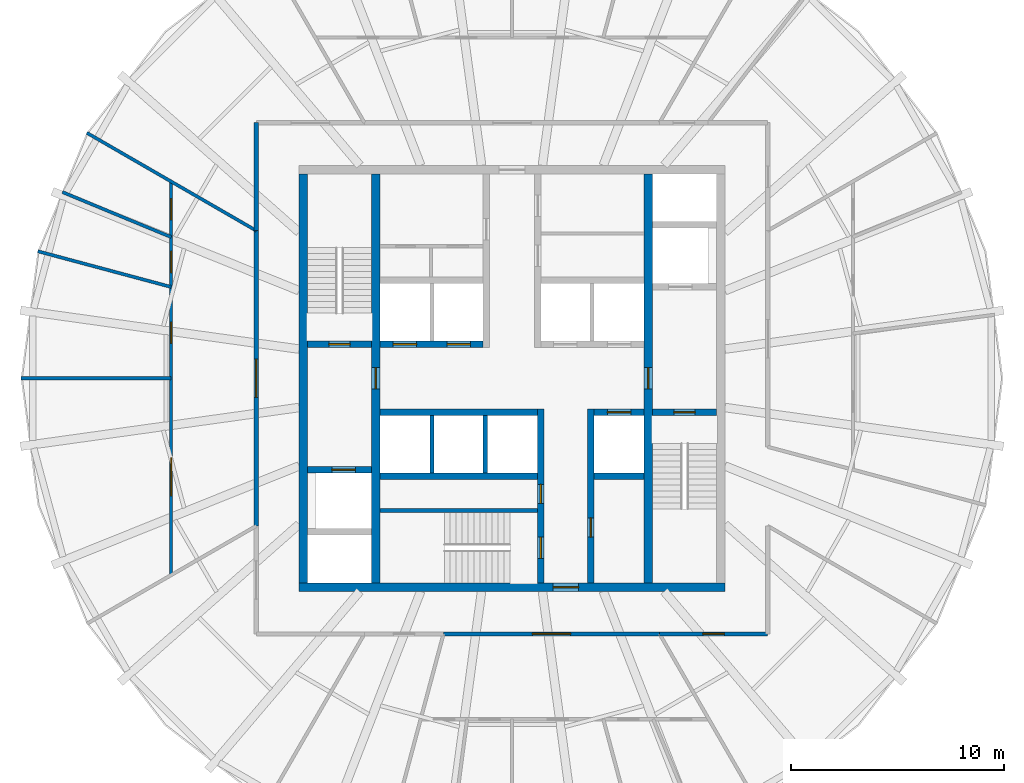
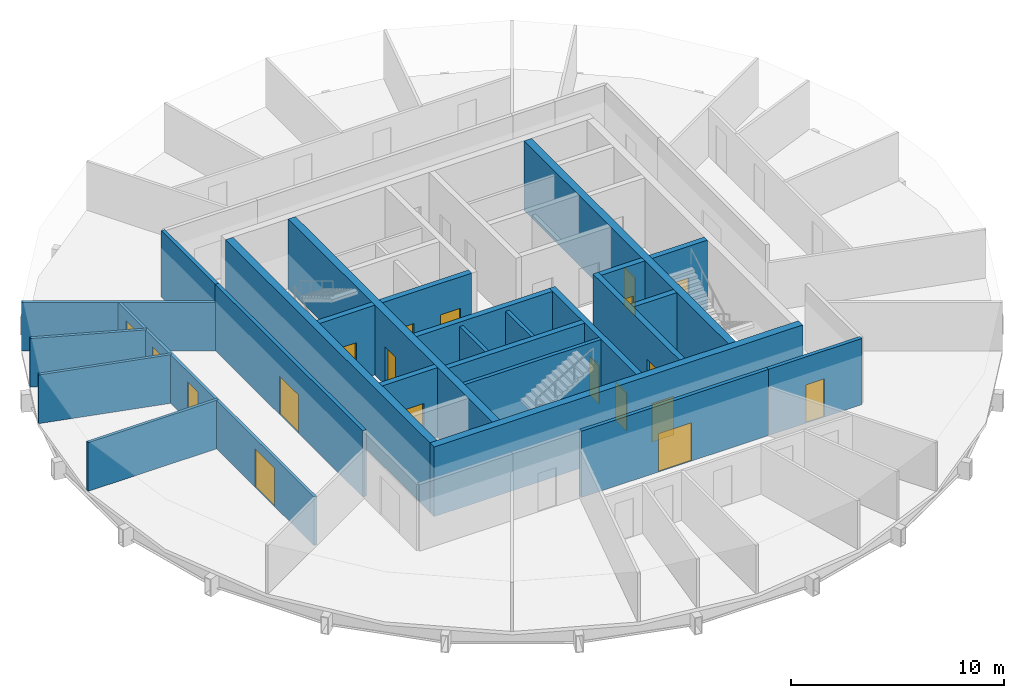
# One storey, part 3 of 6: 26 walls, 19 doors, 19 openings.
"""IFC4 building model written with IfcOpenShell, lengths in metres."""

from ifc_helpers import new_model, si_unit, direction, frame, frame_2d, origin, place, context, subcontext, project, spatial, rectangle, extrude, material, layer, layer_set, type_object, element, fill, save


model = new_model("IFC4")

# Units and contexts
model_context = context("Model", 3, precision=1e-05, world=origin(), true_north=direction((0.0, 1.0)))
body_context = subcontext(model_context, "Body", "Model", "MODEL_VIEW")
ifc_project = project(units=[si_unit("LENGTHUNIT", "METRE"), si_unit("AREAUNIT", "SQUARE_METRE"), si_unit("VOLUMEUNIT", "CUBIC_METRE"), si_unit("PLANEANGLEUNIT", "RADIAN"), si_unit("MASSUNIT", "GRAM", prefix="KILO")], contexts=[model_context])

# Site, building, storey
site_placement = place(None, origin())
site = spatial("IfcSite", under=ifc_project, at=site_placement, CompositionType="ELEMENT")
building_placement = place(site_placement, origin())
building = spatial("IfcBuilding", under=site, at=building_placement, Name="Golbaran Civic Tower", CompositionType="ELEMENT")
storey_placement = place(building_placement, frame((0.0, 0.0, 224.0)))
storey = spatial("IfcBuildingStorey", under=building, at=storey_placement, Name="L54", CompositionType="ELEMENT", Elevation=224.0)

# Wall, opening, door
ifc_material_1 = material(Name="Concrete C50/60", Category="concrete")
ifc_layer_1 = layer(ifc_material_1, 0.39990234375, Name="Concrete C50/60")
ifc_layer_set_1 = layer_set([ifc_layer_1], Name="Concrete C50/60")
wall_type_1 = type_object("IfcWallType", Name="CORE WALL CONCRETE 400", PredefinedType="SOLIDWALL", material=ifc_layer_set_1)
wall_1_placement = place(storey_placement, frame((10.0, -9.800048828125, 0.0), z_axis=(0.0, 0.0, 1.0), x_axis=(-1.0, 0.0, 0.0)))
wall_1 = element("IfcWall", 1, at=wall_1_placement, inside=storey, type_object=wall_type_1, Name="Core wall CS L54", PredefinedType="SOLIDWALL", context=body_context, shape_type="SweptSolid", body=[
    extrude(rectangle(XDim=20.0, YDim=0.39990234375, at=frame_2d((10.0, 0.0))), origin(), (0.0, 0.0, 1.0), 4.0),
])
opening_1_placement = place(wall_1_placement, frame((6.875, 0.0, 0.0)))
opening_1 = element("IfcOpeningElement", 2, at=opening_1_placement, cuts=wall_1, Name="Opening L54.CS", PredefinedType="OPENING", context=body_context, shape_type="SweptSolid", body=[
    extrude(rectangle(XDim=1.199951171875, YDim=2.199951171875, at=frame_2d((0.60009765625, 1.10009765625))), frame((0.0, 0.2099609375, 0.0), z_axis=(0.0, -1.0, 0.0), x_axis=(1.0, 0.0, 0.0)), (0.0, 0.0, 1.0), 0.419921875),
])
ifc_material_2 = material(Name="Timber door set in steel frame", Category="steel")
door_type_1 = type_object("IfcDoorType", Name="CORE DOOR 1200x2200", OperationType="DOUBLE_DOOR_SINGLE_SWING", PredefinedType="DOOR", material=ifc_material_2)
door_1_placement = place(opening_1_placement, origin())
door_1 = element("IfcDoor", 3, at=door_1_placement, inside=storey, type_object=door_type_1, Name="Core door south", OperationType="DOUBLE_DOOR_SINGLE_SWING", OverallHeight=2.199951171875, OverallWidth=1.199951171875, PredefinedType="DOOR", context=body_context, shape_type="SweptSolid", body=[
    extrude(rectangle(XDim=1.199951171875, YDim=2.199951171875, at=frame_2d((0.60009765625, 1.10009765625))), frame((0.0, 0.02490234375, 0.0), z_axis=(0.0, -1.0, 0.0), x_axis=(1.0, 0.0, 0.0)), (0.0, 0.0, 1.0), 0.050048828125),
])
fill(opening_1, door_1)

# Wall
wall_2_placement = place(storey_placement, frame((-9.800048828125, 9.60009765625, 0.0), z_axis=(0.0, 0.0, 1.0), x_axis=(0.0, -1.0, 0.0)))
element("IfcWall", 4, at=wall_2_placement, inside=storey, type_object=wall_type_1, Name="Core wall CW L54", PredefinedType="SOLIDWALL", context=body_context, shape_type="SweptSolid", body=[
    extrude(rectangle(XDim=19.2001953125, YDim=0.39990234375, at=frame_2d((9.60009765625, 0.0))), origin(), (0.0, 0.0, 1.0), 4.0),
])

# Wall, opening, door
wall_3_placement = place(storey_placement, frame((-6.39990234375, -9.60009765625, 0.0), z_axis=(0.0, 0.0, 1.0), x_axis=(0.0, 1.0, 0.0)))
wall_3 = element("IfcWall", 5, at=wall_3_placement, inside=storey, type_object=wall_type_1, Name="Core wall IW L54", PredefinedType="SOLIDWALL", context=body_context, shape_type="SweptSolid", body=[
    extrude(rectangle(XDim=19.2001953125, YDim=0.39990234375, at=frame_2d((9.60009765625, 0.0))), origin(), (0.0, 0.0, 1.0), 4.0),
])
opening_2_placement = place(wall_3_placement, frame((9.10009765625, 0.0, 0.0)))
opening_2 = element("IfcOpeningElement", 6, at=opening_2_placement, cuts=wall_3, Name="Opening L54.FL1", PredefinedType="OPENING", context=body_context, shape_type="SweptSolid", body=[
    extrude(rectangle(XDim=1.0, YDim=2.199951171875, at=frame_2d((0.5, 1.10009765625))), frame((0.0, 0.2099609375, 0.0), z_axis=(0.0, -1.0, 0.0), x_axis=(1.0, 0.0, 0.0)), (0.0, 0.0, 1.0), 0.419921875),
])
door_type_2 = type_object("IfcDoorType", Name="STAIR DOOR 1000x2200", OperationType="SINGLE_SWING_LEFT", PredefinedType="DOOR", material=ifc_material_2)
door_2_placement = place(opening_2_placement, origin())
door_2 = element("IfcDoor", 7, at=door_2_placement, inside=storey, type_object=door_type_2, Name="Fire-fighting lobby FL1 door", OperationType="SINGLE_SWING_LEFT", OverallHeight=2.199951171875, OverallWidth=1.0, PredefinedType="DOOR", context=body_context, shape_type="SweptSolid", body=[
    extrude(rectangle(XDim=1.0, YDim=2.199951171875, at=frame_2d((0.5, 1.10009765625))), frame((0.0, 0.02490234375, 0.0), z_axis=(0.0, -1.0, 0.0), x_axis=(1.0, 0.0, 0.0)), (0.0, 0.0, 1.0), 0.050048828125),
])
fill(opening_2, door_2)

wall_4_placement = place(storey_placement, frame((6.39990234375, 9.60009765625, 0.0), z_axis=(0.0, 0.0, 1.0), x_axis=(0.0, -1.0, 0.0)))
wall_4 = element("IfcWall", 8, at=wall_4_placement, inside=storey, type_object=wall_type_1, Name="Core wall IE L54", PredefinedType="SOLIDWALL", context=body_context, shape_type="SweptSolid", body=[
    extrude(rectangle(XDim=19.2001953125, YDim=0.39990234375, at=frame_2d((9.60009765625, 0.0))), origin(), (0.0, 0.0, 1.0), 4.0),
])
opening_3_placement = place(wall_4_placement, frame((9.10009765625, 0.0, 0.0)))
opening_3 = element("IfcOpeningElement", 9, at=opening_3_placement, cuts=wall_4, Name="Opening L54.FL2", PredefinedType="OPENING", context=body_context, shape_type="SweptSolid", body=[
    extrude(rectangle(XDim=1.0, YDim=2.199951171875, at=frame_2d((0.5, 1.10009765625))), frame((0.0, 0.2099609375, 0.0), z_axis=(0.0, -1.0, 0.0), x_axis=(1.0, 0.0, 0.0)), (0.0, 0.0, 1.0), 0.419921875),
])
door_3_placement = place(opening_3_placement, origin())
door_3 = element("IfcDoor", 10, at=door_3_placement, inside=storey, type_object=door_type_2, Name="Fire-fighting lobby FL2 door", OperationType="SINGLE_SWING_RIGHT", OverallHeight=2.199951171875, OverallWidth=1.0, PredefinedType="DOOR", context=body_context, shape_type="SweptSolid", body=[
    extrude(rectangle(XDim=1.0, YDim=2.199951171875, at=frame_2d((0.5, 1.10009765625))), frame((0.0, 0.02490234375, 0.0), z_axis=(0.0, -1.0, 0.0), x_axis=(1.0, 0.0, 0.0)), (0.0, 0.0, 1.0), 0.050048828125),
])
fill(opening_3, door_3)

# Wall
ifc_material_3 = material(Name="Gypsum board on steel studs, fire-rated", Category="steel")
ifc_layer_2 = layer(ifc_material_3, 0.199951171875, Name="Gypsum board on steel studs, fire-rated")
ifc_layer_set_2 = layer_set([ifc_layer_2], Name="Gypsum board on steel studs, fire-rated")
wall_type_2 = type_object("IfcWallType", Name="CORRIDOR WALL 200", PredefinedType="PARTITIONING", material=ifc_layer_set_2)
wall_5_placement = place(storey_placement, frame((-12.0, 12.0, 0.0), z_axis=(0.0, 0.0, 1.0), x_axis=(0.0, -1.0, 0.0)))
element("IfcWall", 11, at=wall_5_placement, inside=storey, type_object=wall_type_2, Name="Corridor wall L54", PredefinedType="PARTITIONING", context=body_context, shape_type="SweptSolid", body=[
    extrude(rectangle(XDim=5.07177734375, YDim=0.199951171875, at=frame_2d((2.535888671875, 0.0))), origin(), (0.0, 0.0, 1.0), 3.800048828125),
])

# Wall, opening, door
wall_6_placement = place(storey_placement, frame((-12.0, 6.92822265625, 0.0), z_axis=(0.0, 0.0, 1.0), x_axis=(0.0, -1.0, 0.0)))
wall_6 = element("IfcWall", 12, at=wall_6_placement, inside=storey, type_object=wall_type_2, Name="Corridor wall L54", PredefinedType="PARTITIONING", context=body_context, shape_type="SweptSolid", body=[
    extrude(rectangle(XDim=13.8564453125, YDim=0.199951171875, at=frame_2d((6.92822265625, 0.0))), origin(), (0.0, 0.0, 1.0), 3.800048828125),
])
opening_4_placement = place(wall_6_placement, frame((6.0283203125, 0.0, 0.0)))
opening_4 = element("IfcOpeningElement", 13, at=opening_4_placement, cuts=wall_6, Name="Opening L54.22", PredefinedType="OPENING", context=body_context, shape_type="SweptSolid", body=[
    extrude(rectangle(XDim=1.800048828125, YDim=2.199951171875, at=frame_2d((0.89990234375, 1.10009765625))), frame((0.0, 0.10986328125, 0.0), z_axis=(0.0, -1.0, 0.0), x_axis=(1.0, 0.0, 0.0)), (0.0, 0.0, 1.0), 0.219970703125),
])
door_type_3 = type_object("IfcDoorType", Name="OFFICE DOUBLE DOOR 1800x2200", OperationType="DOUBLE_DOOR_SINGLE_SWING", PredefinedType="DOOR", material=ifc_material_2)
door_4_placement = place(opening_4_placement, origin())
door_4 = element("IfcDoor", 14, at=door_4_placement, inside=storey, type_object=door_type_3, Name="Open Office door L54", OperationType="DOUBLE_DOOR_SINGLE_SWING", OverallHeight=2.199951171875, OverallWidth=1.800048828125, PredefinedType="DOOR", context=body_context, shape_type="SweptSolid", body=[
    extrude(rectangle(XDim=1.800048828125, YDim=2.199951171875, at=frame_2d((0.89990234375, 1.10009765625))), frame((0.0, 0.02490234375, 0.0), z_axis=(0.0, -1.0, 0.0), x_axis=(1.0, 0.0, 0.0)), (0.0, 0.0, 1.0), 0.050048828125),
])
fill(opening_4, door_4)

wall_7_placement = place(storey_placement, frame((-3.21533203125, -12.0, 0.0), z_axis=(0.0, 0.0, 1.0), x_axis=(1.0, 0.0, 0.0)))
wall_7 = element("IfcWall", 15, at=wall_7_placement, inside=storey, type_object=wall_type_2, Name="Corridor wall L54", PredefinedType="PARTITIONING", context=body_context, shape_type="SweptSolid", body=[
    extrude(rectangle(XDim=10.1435546875, YDim=0.199951171875, at=frame_2d((5.07177734375, 0.0))), origin(), (0.0, 0.0, 1.0), 3.800048828125),
])
opening_5_placement = place(wall_7_placement, frame((4.171875, 0.0, 0.0)))
opening_5 = element("IfcOpeningElement", 16, at=opening_5_placement, cuts=wall_7, Name="Opening L54.25", PredefinedType="OPENING", context=body_context, shape_type="SweptSolid", body=[
    extrude(rectangle(XDim=1.800048828125, YDim=2.199951171875, at=frame_2d((0.89990234375, 1.10009765625))), frame((0.0, 0.10986328125, 0.0), z_axis=(0.0, -1.0, 0.0), x_axis=(1.0, 0.0, 0.0)), (0.0, 0.0, 1.0), 0.219970703125),
])
door_5_placement = place(opening_5_placement, origin())
door_5 = element("IfcDoor", 17, at=door_5_placement, inside=storey, type_object=door_type_3, Name="Secretariat door L54", OperationType="DOUBLE_DOOR_SINGLE_SWING", OverallHeight=2.199951171875, OverallWidth=1.800048828125, PredefinedType="DOOR", context=body_context, shape_type="SweptSolid", body=[
    extrude(rectangle(XDim=1.800048828125, YDim=2.199951171875, at=frame_2d((0.89990234375, 1.10009765625))), frame((0.0, 0.02490234375, 0.0), z_axis=(0.0, -1.0, 0.0), x_axis=(1.0, 0.0, 0.0)), (0.0, 0.0, 1.0), 0.050048828125),
])
fill(opening_5, door_5)

wall_8_placement = place(storey_placement, frame((6.92822265625, -12.0, 0.0), z_axis=(0.0, 0.0, 1.0), x_axis=(1.0, 0.0, 0.0)))
wall_8 = element("IfcWall", 18, at=wall_8_placement, inside=storey, type_object=wall_type_2, Name="Corridor wall L54", PredefinedType="PARTITIONING", context=body_context, shape_type="SweptSolid", body=[
    extrude(rectangle(XDim=5.07177734375, YDim=0.199951171875, at=frame_2d((2.535888671875, 0.0))), origin(), (0.0, 0.0, 1.0), 3.800048828125),
])
opening_6_placement = place(wall_8_placement, frame((2.035888671875, 0.0, 0.0)))
opening_6 = element("IfcOpeningElement", 19, at=opening_6_placement, cuts=wall_8, Name="Opening L54.26", PredefinedType="OPENING", context=body_context, shape_type="SweptSolid", body=[
    extrude(rectangle(XDim=1.0, YDim=2.199951171875, at=frame_2d((0.5, 1.10009765625))), frame((0.0, 0.10986328125, 0.0), z_axis=(0.0, -1.0, 0.0), x_axis=(1.0, 0.0, 0.0)), (0.0, 0.0, 1.0), 0.219970703125),
])
door_type_4 = type_object("IfcDoorType", Name="OFFICE DOOR 1000x2200", OperationType="SINGLE_SWING_LEFT", PredefinedType="DOOR", material=ifc_material_2)
door_6_placement = place(opening_6_placement, origin())
door_6 = element("IfcDoor", 20, at=door_6_placement, inside=storey, type_object=door_type_4, Name="File Room door L54", OperationType="SINGLE_SWING_LEFT", OverallHeight=2.199951171875, OverallWidth=1.0, PredefinedType="DOOR", context=body_context, shape_type="SweptSolid", body=[
    extrude(rectangle(XDim=1.0, YDim=2.199951171875, at=frame_2d((0.5, 1.10009765625))), frame((0.0, 0.02490234375, 0.0), z_axis=(0.0, -1.0, 0.0), x_axis=(1.0, 0.0, 0.0)), (0.0, 0.0, 1.0), 0.050048828125),
])
fill(opening_6, door_6)

# Walls
ifc_material_4 = material(Name="Concrete block", Category="concrete")
ifc_layer_3 = layer(ifc_material_4, 0.199951171875, Name="Concrete block")
ifc_layer_set_3 = layer_set([ifc_layer_3], Name="Concrete block")
wall_type_3 = type_object("IfcWallType", Name="LIFT SEPARATOR WALL 200", PredefinedType="SOLIDWALL", material=ifc_layer_set_3)
for number, where, z_axis, x_axis, name in (
    (21, (-3.75, -1.75, 0.0), (0.0, 0.0, 1.0), (0.0, -1.0, 0.0), "Core partition SSW L54"),
    (22, (-1.25, -1.75, 0.0), (0.0, 0.0, 1.0), (0.0, -1.0, 0.0), "Core partition SSM L54"),
):
    element("IfcWall", number, at=place(storey_placement, frame(where, z_axis=z_axis, x_axis=x_axis)), inside=storey, type_object=wall_type_3, Name=name, PredefinedType="SOLIDWALL", context=body_context, shape_type="SweptSolid", body=[
        extrude(rectangle(XDim=2.699951171875, YDim=0.199951171875, at=frame_2d((1.35009765625, 0.0))), origin(), (0.0, 0.0, 1.0), 3.75),
    ])
ifc_material_5 = material(Name="Gypsum board on steel studs", Category="steel")
ifc_layer_4 = layer(ifc_material_5, 0.14990234375, Name="Gypsum board on steel studs")
ifc_layer_set_4 = layer_set([ifc_layer_4], Name="Gypsum board on steel studs")
wall_type_4 = type_object("IfcWallType", Name="OFFICE PARTITION 150", PredefinedType="PARTITIONING", material=ifc_layer_set_4)
wall_9_placement = place(storey_placement, frame((-12.0, 6.92822265625, 0.0), z_axis=(0.0, 0.0, 1.0), x_axis=(-0.866021843099, 0.500006167237, 0.0)))
element("IfcWall", 23, at=wall_9_placement, inside=storey, type_object=wall_type_4, Name="Partition 150 L54", PredefinedType="PARTITIONING", context=body_context, shape_type="SweptSolid", body=[
    extrude(rectangle(XDim=9.18701171875, YDim=0.14990234375, at=frame_2d((4.593505859375, 0.0))), origin(), (0.0, 0.0, 1.0), 2.7900390625),
])

# Wall, openings, doors
wall_10_placement = place(storey_placement, frame((-16.0, 9.237548828125, 0.0), z_axis=(0.0, 0.0, 1.0), x_axis=(0.0, -1.0, 0.0)))
wall_10 = element("IfcWall", 24, at=wall_10_placement, inside=storey, type_object=wall_type_4, Name="Suite partition L54", PredefinedType="PARTITIONING", context=body_context, shape_type="SweptSolid", body=[
    extrude(rectangle(XDim=18.47509765625, YDim=0.14990234375, at=frame_2d((9.237548828125, 0.0))), origin(), (0.0, 0.0, 1.0), 2.7900390625),
])
opening_7_placement = place(wall_10_placement, frame((0.80517578125, 0.0, 0.0)))
opening_7 = element("IfcOpeningElement", 25, at=opening_7_placement, cuts=wall_10, Name="Opening L54.08", PredefinedType="OPENING", context=body_context, shape_type="SweptSolid", body=[
    extrude(rectangle(XDim=1.0, YDim=2.199951171875, at=frame_2d((0.5, 1.10009765625))), frame((0.0, 0.0849609375, 0.0), z_axis=(0.0, -1.0, 0.0), x_axis=(1.0, 0.0, 0.0)), (0.0, 0.0, 1.0), 0.169921875),
])
opening_8_placement = place(wall_10_placement, frame((3.2802734375, 0.0, 0.0)))
opening_8 = element("IfcOpeningElement", 26, at=opening_8_placement, cuts=wall_10, Name="Opening L54.09", PredefinedType="OPENING", context=body_context, shape_type="SweptSolid", body=[
    extrude(rectangle(XDim=1.0, YDim=2.199951171875, at=frame_2d((0.5, 1.10009765625))), frame((0.0, 0.0849609375, 0.0), z_axis=(0.0, -1.0, 0.0), x_axis=(1.0, 0.0, 0.0)), (0.0, 0.0, 1.0), 0.169921875),
])
opening_9_placement = place(wall_10_placement, frame((6.593994140625, 0.0, 0.0)))
opening_9 = element("IfcOpeningElement", 27, at=opening_9_placement, cuts=wall_10, Name="Opening L54.10", PredefinedType="OPENING", context=body_context, shape_type="SweptSolid", body=[
    extrude(rectangle(XDim=1.0, YDim=2.199951171875, at=frame_2d((0.5, 1.10009765625))), frame((0.0, 0.0849609375, 0.0), z_axis=(0.0, -1.0, 0.0), x_axis=(1.0, 0.0, 0.0)), (0.0, 0.0, 1.0), 0.169921875),
])
opening_10_placement = place(wall_10_placement, frame((12.956298828125, 0.0, 0.0)))
opening_10 = element("IfcOpeningElement", 28, at=opening_10_placement, cuts=wall_10, Name="Opening L54.11", PredefinedType="OPENING", context=body_context, shape_type="SweptSolid", body=[
    extrude(rectangle(XDim=1.800048828125, YDim=2.199951171875, at=frame_2d((0.89990234375, 1.10009765625))), frame((0.0, 0.0849609375, 0.0), z_axis=(0.0, -1.0, 0.0), x_axis=(1.0, 0.0, 0.0)), (0.0, 0.0, 1.0), 0.169921875),
])
door_7_placement = place(opening_7_placement, origin())
door_7 = element("IfcDoor", 29, at=door_7_placement, inside=storey, type_object=door_type_4, Name="Office door L54", OperationType="SINGLE_SWING_LEFT", OverallHeight=2.199951171875, OverallWidth=1.0, PredefinedType="DOOR", context=body_context, shape_type="SweptSolid", body=[
    extrude(rectangle(XDim=1.0, YDim=2.199951171875, at=frame_2d((0.5, 1.10009765625))), frame((0.0, 0.02490234375, 0.0), z_axis=(0.0, -1.0, 0.0), x_axis=(1.0, 0.0, 0.0)), (0.0, 0.0, 1.0), 0.050048828125),
])
fill(opening_7, door_7)
door_8_placement = place(opening_8_placement, origin())
door_8 = element("IfcDoor", 30, at=door_8_placement, inside=storey, type_object=door_type_4, Name="Office door L54", OperationType="SINGLE_SWING_LEFT", OverallHeight=2.199951171875, OverallWidth=1.0, PredefinedType="DOOR", context=body_context, shape_type="SweptSolid", body=[
    extrude(rectangle(XDim=1.0, YDim=2.199951171875, at=frame_2d((0.5, 1.10009765625))), frame((0.0, 0.02490234375, 0.0), z_axis=(0.0, -1.0, 0.0), x_axis=(1.0, 0.0, 0.0)), (0.0, 0.0, 1.0), 0.050048828125),
])
fill(opening_8, door_8)
door_9_placement = place(opening_9_placement, origin())
door_9 = element("IfcDoor", 31, at=door_9_placement, inside=storey, type_object=door_type_4, Name="Office door L54", OperationType="SINGLE_SWING_LEFT", OverallHeight=2.199951171875, OverallWidth=1.0, PredefinedType="DOOR", context=body_context, shape_type="SweptSolid", body=[
    extrude(rectangle(XDim=1.0, YDim=2.199951171875, at=frame_2d((0.5, 1.10009765625))), frame((0.0, 0.02490234375, 0.0), z_axis=(0.0, -1.0, 0.0), x_axis=(1.0, 0.0, 0.0)), (0.0, 0.0, 1.0), 0.050048828125),
])
fill(opening_9, door_9)
door_10_placement = place(opening_10_placement, origin())
door_10 = element("IfcDoor", 32, at=door_10_placement, inside=storey, type_object=door_type_3, Name="Meeting Room door L54", OperationType="DOUBLE_DOOR_SINGLE_SWING", OverallHeight=2.199951171875, OverallWidth=1.800048828125, PredefinedType="DOOR", context=body_context, shape_type="SweptSolid", body=[
    extrude(rectangle(XDim=1.800048828125, YDim=2.199951171875, at=frame_2d((0.89990234375, 1.10009765625))), frame((0.0, 0.02490234375, 0.0), z_axis=(0.0, -1.0, 0.0), x_axis=(1.0, 0.0, 0.0)), (0.0, 0.0, 1.0), 0.050048828125),
])
fill(opening_10, door_10)

# Walls
wall_11_placement = place(storey_placement, frame((-16.0, 6.62744140625, 0.0), z_axis=(0.0, 0.0, 1.0), x_axis=(-0.923872026087, 0.382701553975, 0.0)))
element("IfcWall", 33, at=wall_11_placement, inside=storey, type_object=wall_type_4, Name="Partition 157.5 L54", PredefinedType="PARTITIONING", context=body_context, shape_type="SweptSolid", body=[
    extrude(rectangle(XDim=5.52783203125, YDim=0.14990234375, at=frame_2d((2.763916015625, 0.0))), origin(), (0.0, 0.0, 1.0), 2.7900390625),
])
wall_12_placement = place(storey_placement, frame((-16.0, 4.287109375, 0.0), z_axis=(0.0, 0.0, 1.0), x_axis=(-0.965919623913, 0.258842191576, 0.0)))
element("IfcWall", 34, at=wall_12_placement, inside=storey, type_object=wall_type_4, Name="Partition 165 L54", PredefinedType="PARTITIONING", context=body_context, shape_type="SweptSolid", body=[
    extrude(rectangle(XDim=6.478759765625, YDim=0.14990234375, at=frame_2d((3.2392578125, 0.0))), origin(), (0.0, 0.0, 1.0), 2.7900390625),
])
wall_13_placement = place(storey_placement, frame((-16.0, 0.0, 0.0), z_axis=(0.0, 0.0, 1.0), x_axis=(-1.0, 0.0, 0.0)))
element("IfcWall", 35, at=wall_13_placement, inside=storey, type_object=wall_type_4, Name="Partition 180 L54", PredefinedType="PARTITIONING", context=body_context, shape_type="SweptSolid", body=[
    extrude(rectangle(XDim=7.043212890625, YDim=0.14990234375, at=frame_2d((3.521484375, 0.0))), origin(), (0.0, 0.0, 1.0), 2.7900390625),
])
ifc_layer_5 = layer(ifc_material_1, 0.199951171875, Name="Concrete C50/60")
ifc_layer_set_5 = layer_set([ifc_layer_5], Name="Concrete C50/60")
wall_type_5 = type_object("IfcWallType", Name="SHAFT WALL CONCRETE 200", PredefinedType="SOLIDWALL", material=ifc_layer_set_5)
wall_14_placement = place(storey_placement, frame((-6.199951171875, -6.199951171875, 0.0), z_axis=(0.0, 0.0, 1.0), x_axis=(1.0, 0.0, 0.0)))
element("IfcWall", 36, at=wall_14_placement, inside=storey, type_object=wall_type_5, Name="Core wall S3N L54", PredefinedType="SOLIDWALL", context=body_context, shape_type="SweptSolid", body=[
    extrude(rectangle(XDim=7.39990234375, YDim=0.199951171875, at=frame_2d((3.699951171875, 0.0))), origin(), (0.0, 0.0, 1.0), 4.0),
])

# Wall, openings, doors
ifc_layer_6 = layer(ifc_material_1, 0.300048828125, Name="Concrete C50/60")
ifc_layer_set_6 = layer_set([ifc_layer_6], Name="Concrete C50/60")
wall_type_6 = type_object("IfcWallType", Name="SHAFT WALL CONCRETE 300", PredefinedType="SOLIDWALL", material=ifc_layer_set_6)
wall_15_placement = place(storey_placement, frame((-6.199951171875, 1.60009765625, 0.0), z_axis=(0.0, 0.0, 1.0), x_axis=(1.0, 0.0, 0.0)))
wall_15 = element("IfcWall", 37, at=wall_15_placement, inside=storey, type_object=wall_type_6, Name="Core wall FNW L54", PredefinedType="SOLIDWALL", context=body_context, shape_type="SweptSolid", body=[
    extrude(rectangle(XDim=4.849853515625, YDim=0.300048828125, at=frame_2d((2.4248046875, 0.0))), origin(), (0.0, 0.0, 1.0), 4.0),
])
opening_11_placement = place(wall_15_placement, frame((0.625, 0.0, 0.0)))
opening_11 = element("IfcOpeningElement", 38, at=opening_11_placement, cuts=wall_15, Name="Opening L54.LD-Z1T", PredefinedType="OPENING", context=body_context, shape_type="SweptSolid", body=[
    extrude(rectangle(XDim=1.10009765625, YDim=2.199951171875, at=frame_2d((0.550048828125, 1.10009765625))), frame((0.0, 0.159912109375, 0.0), z_axis=(0.0, -1.0, 0.0), x_axis=(1.0, 0.0, 0.0)), (0.0, 0.0, 1.0), 0.320068359375),
])
opening_12_placement = place(wall_15_placement, frame((3.14990234375, 0.0, 0.0)))
opening_12 = element("IfcOpeningElement", 39, at=opening_12_placement, cuts=wall_15, Name="Opening L54.LD-Z2T", PredefinedType="OPENING", context=body_context, shape_type="SweptSolid", body=[
    extrude(rectangle(XDim=1.10009765625, YDim=2.199951171875, at=frame_2d((0.550048828125, 1.10009765625))), frame((0.0, 0.159912109375, 0.0), z_axis=(0.0, -1.0, 0.0), x_axis=(1.0, 0.0, 0.0)), (0.0, 0.0, 1.0), 0.320068359375),
])
ifc_material_6 = material(Name="Stainless steel", Category="steel")
door_type_5 = type_object("IfcDoorType", Name="LIFT LANDING DOOR 1100x2200", OperationType="SLIDING_TO_LEFT", PredefinedType="DOOR", material=ifc_material_6)
door_11_placement = place(opening_11_placement, origin())
door_11 = element("IfcDoor", 40, at=door_11_placement, inside=storey, type_object=door_type_5, Name="Lift landing door Z1T", OperationType="SLIDING_TO_LEFT", OverallHeight=2.199951171875, OverallWidth=1.10009765625, PredefinedType="DOOR", context=body_context, shape_type="SweptSolid", body=[
    extrude(rectangle(XDim=1.10009765625, YDim=2.199951171875, at=frame_2d((0.550048828125, 1.10009765625))), frame((0.0, 0.02490234375, 0.0), z_axis=(0.0, -1.0, 0.0), x_axis=(1.0, 0.0, 0.0)), (0.0, 0.0, 1.0), 0.050048828125),
])
fill(opening_11, door_11)
door_12_placement = place(opening_12_placement, origin())
door_12 = element("IfcDoor", 41, at=door_12_placement, inside=storey, type_object=door_type_5, Name="Lift landing door Z2T", OperationType="SLIDING_TO_LEFT", OverallHeight=2.199951171875, OverallWidth=1.10009765625, PredefinedType="DOOR", context=body_context, shape_type="SweptSolid", body=[
    extrude(rectangle(XDim=1.10009765625, YDim=2.199951171875, at=frame_2d((0.550048828125, 1.10009765625))), frame((0.0, 0.02490234375, 0.0), z_axis=(0.0, -1.0, 0.0), x_axis=(1.0, 0.0, 0.0)), (0.0, 0.0, 1.0), 0.050048828125),
])
fill(opening_12, door_12)

# Wall
wall_16_placement = place(storey_placement, frame((-6.199951171875, -1.60009765625, 0.0), z_axis=(0.0, 0.0, 1.0), x_axis=(1.0, 0.0, 0.0)))
element("IfcWall", 42, at=wall_16_placement, inside=storey, type_object=wall_type_6, Name="Core wall FSW L54", PredefinedType="SOLIDWALL", context=body_context, shape_type="SweptSolid", body=[
    extrude(rectangle(XDim=7.39990234375, YDim=0.300048828125, at=frame_2d((3.699951171875, 0.0))), origin(), (0.0, 0.0, 1.0), 4.0),
])

# Wall, opening, door
wall_17_placement = place(storey_placement, frame((3.85009765625, -1.60009765625, 0.0), z_axis=(0.0, 0.0, 1.0), x_axis=(1.0, 0.0, 0.0)))
wall_17 = element("IfcWall", 43, at=wall_17_placement, inside=storey, type_object=wall_type_6, Name="Core wall FSE L54", PredefinedType="SOLIDWALL", context=body_context, shape_type="SweptSolid", body=[
    extrude(rectangle(XDim=2.349853515625, YDim=0.300048828125, at=frame_2d((1.1748046875, 0.0))), origin(), (0.0, 0.0, 1.0), 4.0),
])
opening_13_placement = place(wall_17_placement, frame((0.625, 0.0, 0.0)))
opening_13 = element("IfcOpeningElement", 44, at=opening_13_placement, cuts=wall_17, Name="Opening L54.LD-V1", PredefinedType="OPENING", context=body_context, shape_type="SweptSolid", body=[
    extrude(rectangle(XDim=1.10009765625, YDim=2.199951171875, at=frame_2d((0.550048828125, 1.10009765625))), frame((0.0, 0.159912109375, 0.0), z_axis=(0.0, -1.0, 0.0), x_axis=(1.0, 0.0, 0.0)), (0.0, 0.0, 1.0), 0.320068359375),
])
door_13_placement = place(opening_13_placement, origin())
door_13 = element("IfcDoor", 45, at=door_13_placement, inside=storey, type_object=door_type_5, Name="Lift landing door V1", OperationType="SLIDING_TO_LEFT", OverallHeight=2.199951171875, OverallWidth=1.10009765625, PredefinedType="DOOR", context=body_context, shape_type="SweptSolid", body=[
    extrude(rectangle(XDim=1.10009765625, YDim=2.199951171875, at=frame_2d((0.550048828125, 1.10009765625))), frame((0.0, 0.02490234375, 0.0), z_axis=(0.0, -1.0, 0.0), x_axis=(1.0, 0.0, 0.0)), (0.0, 0.0, 1.0), 0.050048828125),
])
fill(opening_13, door_13)

# Walls
wall_18_placement = place(storey_placement, frame((-6.199951171875, -4.60009765625, 0.0), z_axis=(0.0, 0.0, 1.0), x_axis=(1.0, 0.0, 0.0)))
element("IfcWall", 46, at=wall_18_placement, inside=storey, type_object=wall_type_6, Name="Core wall BSW L54", PredefinedType="SOLIDWALL", context=body_context, shape_type="SweptSolid", body=[
    extrude(rectangle(XDim=7.39990234375, YDim=0.300048828125, at=frame_2d((3.699951171875, 0.0))), origin(), (0.0, 0.0, 1.0), 4.0),
])
wall_19_placement = place(storey_placement, frame((3.85009765625, -4.60009765625, 0.0), z_axis=(0.0, 0.0, 1.0), x_axis=(1.0, 0.0, 0.0)))
element("IfcWall", 47, at=wall_19_placement, inside=storey, type_object=wall_type_6, Name="Core wall BSE L54", PredefinedType="SOLIDWALL", context=body_context, shape_type="SweptSolid", body=[
    extrude(rectangle(XDim=2.349853515625, YDim=0.300048828125, at=frame_2d((1.1748046875, 0.0))), origin(), (0.0, 0.0, 1.0), 4.0),
])

# Wall, openings, doors
wall_20_placement = place(storey_placement, frame((1.35009765625, -1.449951171875, 0.0), z_axis=(0.0, 0.0, 1.0), x_axis=(0.0, -1.0, 0.0)))
wall_20 = element("IfcWall", 48, at=wall_20_placement, inside=storey, type_object=wall_type_6, Name="Core wall PSW L54", PredefinedType="SOLIDWALL", context=body_context, shape_type="SweptSolid", body=[
    extrude(rectangle(XDim=8.150146484375, YDim=0.300048828125, at=frame_2d((4.0751953125, 0.0))), origin(), (0.0, 0.0, 1.0), 4.0),
])
opening_14_placement = place(wall_20_placement, frame((6.0, 0.0, 0.0)))
opening_14 = element("IfcOpeningElement", 49, at=opening_14_placement, cuts=wall_20, Name="Opening L54.S3", PredefinedType="OPENING", context=body_context, shape_type="SweptSolid", body=[
    extrude(rectangle(XDim=1.0, YDim=2.199951171875, at=frame_2d((0.5, 1.10009765625))), frame((0.0, 0.159912109375, 0.0), z_axis=(0.0, -1.0, 0.0), x_axis=(1.0, 0.0, 0.0)), (0.0, 0.0, 1.0), 0.320068359375),
])
opening_15_placement = place(wall_20_placement, frame((3.52490234375, 0.0, 0.0)))
opening_15 = element("IfcOpeningElement", 50, at=opening_15_placement, cuts=wall_20, Name="Opening L54.RE", PredefinedType="OPENING", context=body_context, shape_type="SweptSolid", body=[
    extrude(rectangle(XDim=0.89990234375, YDim=2.199951171875, at=frame_2d((0.449951171875, 1.10009765625))), frame((0.0, 0.159912109375, 0.0), z_axis=(0.0, -1.0, 0.0), x_axis=(1.0, 0.0, 0.0)), (0.0, 0.0, 1.0), 0.320068359375),
])
door_type_6 = type_object("IfcDoorType", Name="RISER DOOR 900x2200", OperationType="SINGLE_SWING_LEFT", PredefinedType="DOOR", material=ifc_material_2)
door_14_placement = place(opening_15_placement, origin())
door_14 = element("IfcDoor", 51, at=door_14_placement, inside=storey, type_object=door_type_6, Name="Electrical riser door", OperationType="SINGLE_SWING_LEFT", OverallHeight=2.199951171875, OverallWidth=0.89990234375, PredefinedType="DOOR", context=body_context, shape_type="SweptSolid", body=[
    extrude(rectangle(XDim=0.89990234375, YDim=2.199951171875, at=frame_2d((0.449951171875, 1.10009765625))), frame((0.0, 0.02490234375, 0.0), z_axis=(0.0, -1.0, 0.0), x_axis=(1.0, 0.0, 0.0)), (0.0, 0.0, 1.0), 0.050048828125),
])
fill(opening_15, door_14)
door_15_placement = place(opening_14_placement, origin())
door_15 = element("IfcDoor", 52, at=door_15_placement, inside=storey, type_object=door_type_2, Name="Stair S3 door", OperationType="SINGLE_SWING_RIGHT", OverallHeight=2.199951171875, OverallWidth=1.0, PredefinedType="DOOR", context=body_context, shape_type="SweptSolid", body=[
    extrude(rectangle(XDim=1.0, YDim=2.199951171875, at=frame_2d((0.5, 1.10009765625))), frame((0.0, 0.02490234375, 0.0), z_axis=(0.0, -1.0, 0.0), x_axis=(1.0, 0.0, 0.0)), (0.0, 0.0, 1.0), 0.050048828125),
])
fill(opening_14, door_15)

# Wall, opening, door
wall_21_placement = place(storey_placement, frame((3.699951171875, -1.449951171875, 0.0), z_axis=(0.0, 0.0, 1.0), x_axis=(0.0, -1.0, 0.0)))
wall_21 = element("IfcWall", 53, at=wall_21_placement, inside=storey, type_object=wall_type_6, Name="Core wall PSE L54", PredefinedType="SOLIDWALL", context=body_context, shape_type="SweptSolid", body=[
    extrude(rectangle(XDim=8.150146484375, YDim=0.300048828125, at=frame_2d((4.0751953125, 0.0))), origin(), (0.0, 0.0, 1.0), 4.0),
])
opening_16_placement = place(wall_21_placement, frame((5.10009765625, 0.0, 0.0)))
opening_16 = element("IfcOpeningElement", 54, at=opening_16_placement, cuts=wall_21, Name="Opening L54.RM", PredefinedType="OPENING", context=body_context, shape_type="SweptSolid", body=[
    extrude(rectangle(XDim=0.89990234375, YDim=2.199951171875, at=frame_2d((0.449951171875, 1.10009765625))), frame((0.0, 0.159912109375, 0.0), z_axis=(0.0, -1.0, 0.0), x_axis=(1.0, 0.0, 0.0)), (0.0, 0.0, 1.0), 0.320068359375),
])
door_16_placement = place(opening_16_placement, origin())
door_16 = element("IfcDoor", 55, at=door_16_placement, inside=storey, type_object=door_type_6, Name="Mechanical riser door", OperationType="SINGLE_SWING_RIGHT", OverallHeight=2.199951171875, OverallWidth=0.89990234375, PredefinedType="DOOR", context=body_context, shape_type="SweptSolid", body=[
    extrude(rectangle(XDim=0.89990234375, YDim=2.199951171875, at=frame_2d((0.449951171875, 1.10009765625))), frame((0.0, 0.02490234375, 0.0), z_axis=(0.0, -1.0, 0.0), x_axis=(1.0, 0.0, 0.0)), (0.0, 0.0, 1.0), 0.050048828125),
])
fill(opening_16, door_16)

wall_22_placement = place(storey_placement, frame((-9.60009765625, 1.60009765625, 0.0), z_axis=(0.0, 0.0, 1.0), x_axis=(1.0, 0.0, 0.0)))
wall_22 = element("IfcWall", 56, at=wall_22_placement, inside=storey, type_object=wall_type_6, Name="Core wall XW1 L54", PredefinedType="SOLIDWALL", context=body_context, shape_type="SweptSolid", body=[
    extrude(rectangle(XDim=3.0, YDim=0.300048828125, at=frame_2d((1.5, 0.0))), origin(), (0.0, 0.0, 1.0), 4.0),
])
opening_17_placement = place(wall_22_placement, frame((1.0, 0.0, 0.0)))
opening_17 = element("IfcOpeningElement", 57, at=opening_17_placement, cuts=wall_22, Name="Opening L54.S1", PredefinedType="OPENING", context=body_context, shape_type="SweptSolid", body=[
    extrude(rectangle(XDim=1.0, YDim=2.199951171875, at=frame_2d((0.5, 1.10009765625))), frame((0.0, 0.159912109375, 0.0), z_axis=(0.0, -1.0, 0.0), x_axis=(1.0, 0.0, 0.0)), (0.0, 0.0, 1.0), 0.320068359375),
])
door_17_placement = place(opening_17_placement, origin())
door_17 = element("IfcDoor", 58, at=door_17_placement, inside=storey, type_object=door_type_2, Name="Stair S1 door", OperationType="SINGLE_SWING_LEFT", OverallHeight=2.199951171875, OverallWidth=1.0, PredefinedType="DOOR", context=body_context, shape_type="SweptSolid", body=[
    extrude(rectangle(XDim=1.0, YDim=2.199951171875, at=frame_2d((0.5, 1.10009765625))), frame((0.0, 0.02490234375, 0.0), z_axis=(0.0, -1.0, 0.0), x_axis=(1.0, 0.0, 0.0)), (0.0, 0.0, 1.0), 0.050048828125),
])
fill(opening_17, door_17)

wall_23_placement = place(storey_placement, frame((6.60009765625, -1.60009765625, 0.0), z_axis=(0.0, 0.0, 1.0), x_axis=(1.0, 0.0, 0.0)))
wall_23 = element("IfcWall", 59, at=wall_23_placement, inside=storey, type_object=wall_type_6, Name="Core wall XE1 L54", PredefinedType="SOLIDWALL", context=body_context, shape_type="SweptSolid", body=[
    extrude(rectangle(XDim=3.0, YDim=0.300048828125, at=frame_2d((1.5, 0.0))), origin(), (0.0, 0.0, 1.0), 4.0),
])
opening_18_placement = place(wall_23_placement, frame((1.0, 0.0, 0.0)))
opening_18 = element("IfcOpeningElement", 60, at=opening_18_placement, cuts=wall_23, Name="Opening L54.S2", PredefinedType="OPENING", context=body_context, shape_type="SweptSolid", body=[
    extrude(rectangle(XDim=1.0, YDim=2.199951171875, at=frame_2d((0.5, 1.10009765625))), frame((0.0, 0.159912109375, 0.0), z_axis=(0.0, -1.0, 0.0), x_axis=(1.0, 0.0, 0.0)), (0.0, 0.0, 1.0), 0.320068359375),
])
door_18_placement = place(opening_18_placement, origin())
door_18 = element("IfcDoor", 61, at=door_18_placement, inside=storey, type_object=door_type_2, Name="Stair S2 door", OperationType="SINGLE_SWING_LEFT", OverallHeight=2.199951171875, OverallWidth=1.0, PredefinedType="DOOR", context=body_context, shape_type="SweptSolid", body=[
    extrude(rectangle(XDim=1.0, YDim=2.199951171875, at=frame_2d((0.5, 1.10009765625))), frame((0.0, 0.02490234375, 0.0), z_axis=(0.0, -1.0, 0.0), x_axis=(1.0, 0.0, 0.0)), (0.0, 0.0, 1.0), 0.050048828125),
])
fill(opening_18, door_18)

wall_24_placement = place(storey_placement, frame((-9.60009765625, -4.300048828125, 0.0), z_axis=(0.0, 0.0, 1.0), x_axis=(1.0, 0.0, 0.0)))
wall_24 = element("IfcWall", 62, at=wall_24_placement, inside=storey, type_object=wall_type_6, Name="Core wall XW2 L54", PredefinedType="SOLIDWALL", context=body_context, shape_type="SweptSolid", body=[
    extrude(rectangle(XDim=3.0, YDim=0.300048828125, at=frame_2d((1.5, 0.0))), origin(), (0.0, 0.0, 1.0), 4.0),
])
opening_19_placement = place(wall_24_placement, frame((1.14990234375, 0.0, 0.0)))
opening_19 = element("IfcOpeningElement", 63, at=opening_19_placement, cuts=wall_24, Name="Opening L54.LD-F1", PredefinedType="OPENING", context=body_context, shape_type="SweptSolid", body=[
    extrude(rectangle(XDim=1.10009765625, YDim=2.199951171875, at=frame_2d((0.550048828125, 1.10009765625))), frame((0.0, 0.159912109375, 0.0), z_axis=(0.0, -1.0, 0.0), x_axis=(1.0, 0.0, 0.0)), (0.0, 0.0, 1.0), 0.320068359375),
])
door_19_placement = place(opening_19_placement, origin())
door_19 = element("IfcDoor", 64, at=door_19_placement, inside=storey, type_object=door_type_5, Name="Lift landing door F1", OperationType="SLIDING_TO_LEFT", OverallHeight=2.199951171875, OverallWidth=1.10009765625, PredefinedType="DOOR", context=body_context, shape_type="SweptSolid", body=[
    extrude(rectangle(XDim=1.10009765625, YDim=2.199951171875, at=frame_2d((0.550048828125, 1.10009765625))), frame((0.0, 0.02490234375, 0.0), z_axis=(0.0, -1.0, 0.0), x_axis=(1.0, 0.0, 0.0)), (0.0, 0.0, 1.0), 0.050048828125),
])
fill(opening_19, door_19)

save(model, "model.ifc")
